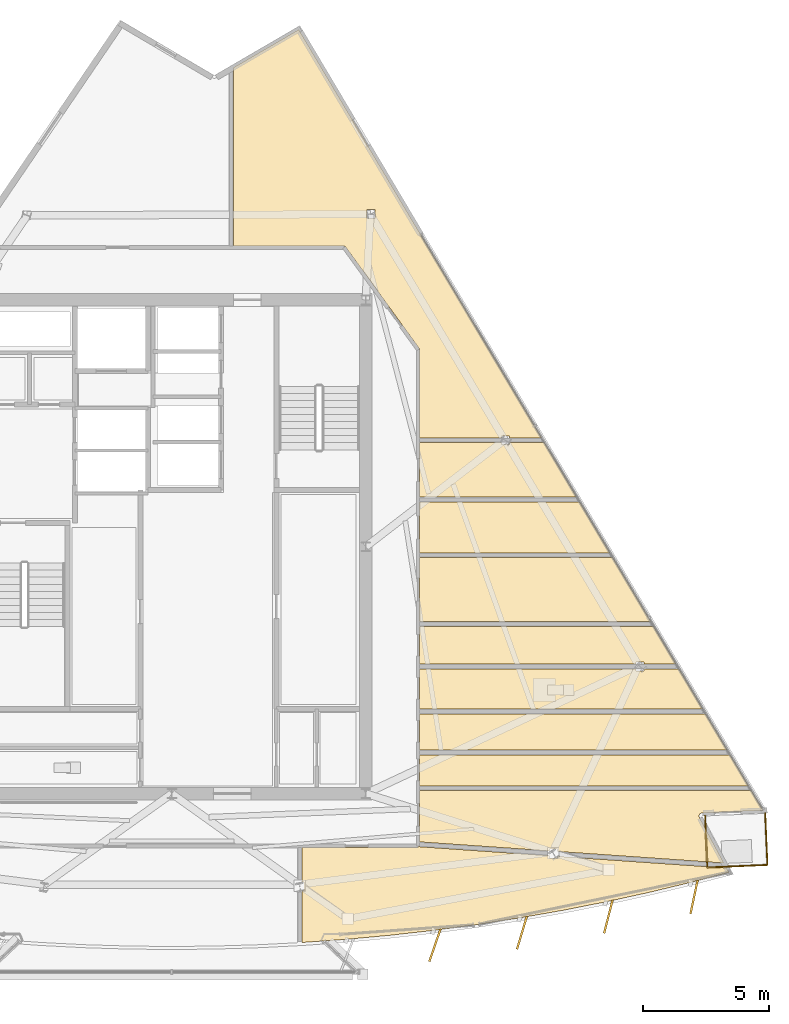
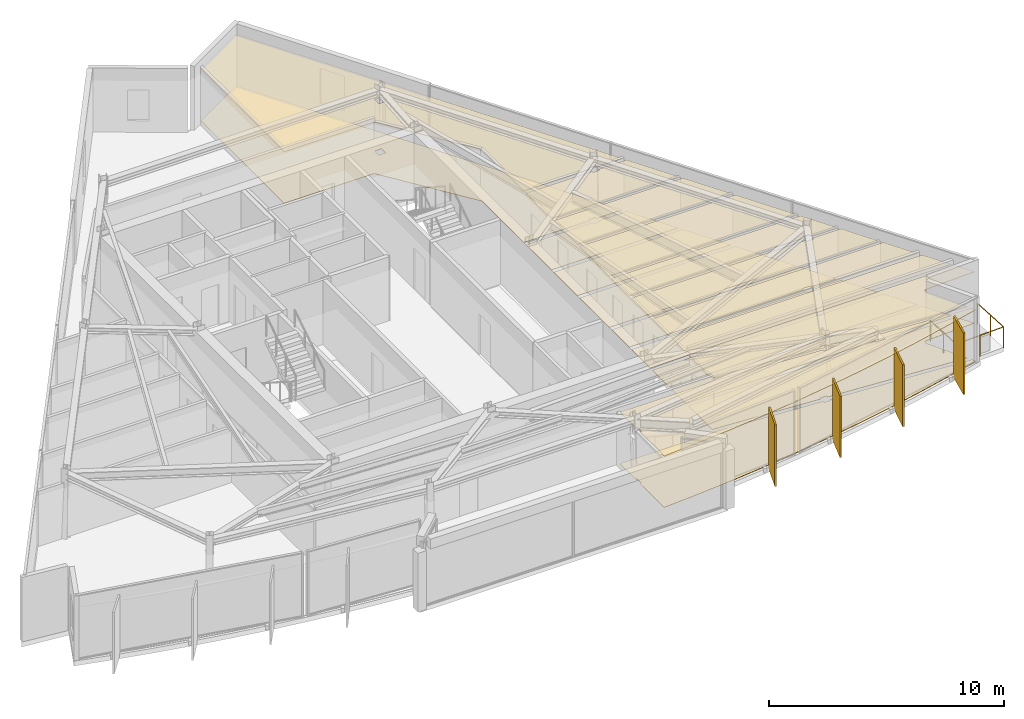
# One storey, part 12 of 13: 20 coverings, 4 shading devices, 3 railings.
"""IFC4 building model written with IfcOpenShell, lengths in metres."""

from ifc_helpers import new_model, si_unit, direction, frame, origin, origin_2d, place, context, subcontext, project, spatial, polyline, rectangle, circle, outline, extrude, material, layer, layer_set, type_object, element, save


model = new_model("IFC4")

# Units and contexts
model_context = context("Model", 3, precision=1e-05, world=origin(), true_north=direction((0.0, 1.0)))
body_context = subcontext(model_context, "Body", "Model", "MODEL_VIEW")
ifc_project = project(units=[si_unit("LENGTHUNIT", "METRE"), si_unit("AREAUNIT", "SQUARE_METRE"), si_unit("VOLUMEUNIT", "CUBIC_METRE"), si_unit("PLANEANGLEUNIT", "RADIAN"), si_unit("MASSUNIT", "GRAM", prefix="KILO")], contexts=[model_context])

# Site, building, storey
site_placement = place(None, origin())
site = spatial("IfcSite", under=ifc_project, at=site_placement, CompositionType="ELEMENT")
building_placement = place(site_placement, origin())
building = spatial("IfcBuilding", under=site, at=building_placement, Name="Savorim Split Tower", CompositionType="ELEMENT")
storey_placement = place(building_placement, frame((0.0, 0.0, 286.800048828125)))
storey = spatial("IfcBuildingStorey", under=building, at=storey_placement, Name="L76", CompositionType="ELEMENT", Elevation=286.800048828125)

# Coverings
ifc_material_1 = material(Name="Mineral Fibre Acoustic Ceiling")
ifc_layer_1 = layer(ifc_material_1, 0.02490234375)
ifc_layer_set_1 = layer_set([ifc_layer_1], Name="COV-CEIL-25")
covering_type_1 = type_object("IfcCoveringType", Name="COV-CEIL-25", PredefinedType="CEILING", material=ifc_layer_set_1)
covering_1_placement = place(storey_placement, frame((0.0, 0.0, 2.669921875)))
element("IfcCovering", 1, at=covering_1_placement, inside=storey, type_object=covering_type_1, Name="L76 Maker Workshop Acoustic Ceiling", PredefinedType="CEILING", context=body_context, shape_type="SweptSolid", body=[
    extrude(outline(polyline([(17.2080078125, -13.7021484375), (18.90087890625, -13.332763671875), (20.5859375, -12.9287109375), (22.1162109375, -12.528564453125), (22.00146484375, -12.314697265625), (21.998779296875, -12.352294921875), (15.312744140625, -11.888671875), (15.312744140625, -11.95703125), (14.983642578125, -11.95703125), (14.983642578125, -11.86572265625), (9.83251953125, -11.508544921875), (9.791748046875, -11.505615234375), (9.788818359375, -11.50830078125), (9.77783203125, -11.516357421875), (9.76611328125, -11.5234375), (9.753662109375, -11.529296875), (9.740478515625, -11.533935546875), (9.727294921875, -11.537353515625), (9.713623046875, -11.539306640625), (9.699951171875, -11.5400390625), (5.172119140625, -11.5400390625), (5.172119140625, -12.900146484375), (5.241455078125, -12.900146484375), (5.241455078125, -13.25), (5.172119140625, -13.25), (5.172119140625, -15.265380859375), (5.172119140625, -15.310791015625), (5.1953125, -15.3095703125), (6.923583984375, -15.185546875), (8.649169921875, -15.026123046875), (10.37109375, -14.83154296875), (12.088623046875, -14.601806640625), (13.801025390625, -14.3369140625), (15.5078125, -14.036865234375), (17.2080078125, -13.7021484375)])), origin(), (0.0, 0.0, 1.0), 0.025146484375),
])
covering_2_placement = place(storey_placement, frame((0.0, 0.0, 2.669921875)))
element("IfcCovering", 2, at=covering_2_placement, inside=storey, type_object=covering_type_1, Name="L76 Maker Workshop Acoustic Ceiling", PredefinedType="CEILING", context=body_context, shape_type="SweptSolid", body=[
    extrude(outline(polyline([(21.022705078125, -10.172119140625), (21.033935546875, -10.169921875), (21.04541015625, -10.168701171875), (23.469970703125, -10.065673828125), (23.004638671875, -9.283203125), (9.840087890625, -9.283203125), (9.840087890625, -11.318603515625), (14.983642578125, -11.67529296875), (14.983642578125, -11.60693359375), (15.312744140625, -11.60693359375), (15.312744140625, -11.6982421875), (21.91650390625, -12.15625), (20.94482421875, -10.345458984375), (20.93994140625, -10.3349609375), (20.93603515625, -10.32421875), (20.93310546875, -10.31298828125), (20.931396484375, -10.301513671875), (20.9306640625, -10.2900390625), (20.930908203125, -10.278564453125), (20.9326171875, -10.26708984375), (20.935302734375, -10.255859375), (20.93896484375, -10.244873046875), (20.943603515625, -10.234375), (20.94921875, -10.224365234375), (20.9560546875, -10.21484375), (20.96337890625, -10.206298828125), (20.9716796875, -10.1982421875), (20.98095703125, -10.19091796875), (20.990478515625, -10.184814453125), (21.0009765625, -10.179443359375), (21.01171875, -10.17529296875), (21.022705078125, -10.172119140625)])), origin(), (0.0, 0.0, 1.0), 0.025146484375),
])
covering_3_placement = place(storey_placement, frame((0.0, 0.0, 2.669921875)))
element("IfcCovering", 3, at=covering_3_placement, inside=storey, type_object=covering_type_1, Name="L76 Quiet Study Room Acoustic Ceiling", PredefinedType="CEILING", context=body_context, shape_type="SweptSolid", body=[
    extrude(outline(polyline([(22.8916015625, -9.09326171875), (22.162841796875, -7.86767578125), (9.840087890625, -7.86767578125), (9.840087890625, -9.09326171875), (22.8916015625, -9.09326171875)])), origin(), (0.0, 0.0, 1.0), 0.025146484375),
])
covering_4_placement = place(storey_placement, frame((0.0, 0.0, 2.669921875)))
element("IfcCovering", 4, at=covering_4_placement, inside=storey, type_object=covering_type_1, Name="L76 Maker Workshop Acoustic Ceiling", PredefinedType="CEILING", context=body_context, shape_type="SweptSolid", body=[
    extrude(outline(polyline([(22.0498046875, -7.677490234375), (21.190673828125, -6.232666015625), (9.840087890625, -6.232666015625), (9.840087890625, -7.677490234375), (22.0498046875, -7.677490234375)])), origin(), (0.0, 0.0, 1.0), 0.025146484375),
])
covering_5_placement = place(storey_placement, frame((0.0, 0.0, 2.669921875)))
element("IfcCovering", 5, at=covering_5_placement, inside=storey, type_object=covering_type_1, Name="L76 Shared Bathroom Acoustic Ceiling", PredefinedType="CEILING", context=body_context, shape_type="SweptSolid", body=[
    extrude(outline(polyline([(18.421630859375, -4.531494140625), (18.421630859375, -4.451416015625), (9.840087890625, -4.451416015625), (9.840087890625, -6.04248046875), (21.07763671875, -6.04248046875), (20.11181640625, -4.41845703125), (20.11181640625, -4.451416015625), (18.750732421875, -4.451416015625), (18.750732421875, -4.531494140625), (18.421630859375, -4.531494140625)])), origin(), (0.0, 0.0, 1.0), 0.025146484375),
])
covering_6_placement = place(storey_placement, frame((0.0, 0.0, 2.669921875)))
element("IfcCovering", 6, at=covering_6_placement, inside=storey, type_object=covering_type_1, Name="L76 Quiet Study Room Acoustic Ceiling", PredefinedType="CEILING", context=body_context, shape_type="SweptSolid", body=[
    extrude(outline(polyline([(18.750732421875, -4.181396484375), (18.750732421875, -4.261474609375), (20.016845703125, -4.261474609375), (20.0185546875, -4.261474609375), (19.123779296875, -2.7568359375), (9.840087890625, -2.7568359375), (9.840087890625, -4.261474609375), (18.421630859375, -4.261474609375), (18.421630859375, -4.181396484375), (18.750732421875, -4.181396484375)])), origin(), (0.0, 0.0, 1.0), 0.025146484375),
])
covering_7_placement = place(storey_placement, frame((0.0, 0.0, 2.669921875)))
element("IfcCovering", 7, at=covering_7_placement, inside=storey, type_object=covering_type_1, Name="L76 Maker Workshop Acoustic Ceiling", PredefinedType="CEILING", context=body_context, shape_type="SweptSolid", body=[
    extrude(outline(polyline([(19.010986328125, -2.56689453125), (17.5048828125, -0.0341796875), (9.840087890625, -0.0341796875), (9.840087890625, -2.56689453125), (19.010986328125, -2.56689453125)])), origin(), (0.0, 0.0, 1.0), 0.025146484375),
])
covering_8_placement = place(storey_placement, frame((0.0, 0.0, 2.669921875)))
element("IfcCovering", 8, at=covering_8_placement, inside=storey, type_object=covering_type_1, Name="L76 Maker Workshop Acoustic Ceiling", PredefinedType="CEILING", context=body_context, shape_type="SweptSolid", body=[
    extrude(outline(polyline([(17.39208984375, 0.15576171875), (16.191650390625, 2.17431640625), (9.840087890625, 2.17431640625), (9.840087890625, 0.15576171875), (17.39208984375, 0.15576171875)])), origin(), (0.0, 0.0, 1.0), 0.025146484375),
])
covering_9_placement = place(storey_placement, frame((0.0, 0.0, 2.669921875)))
element("IfcCovering", 9, at=covering_9_placement, inside=storey, type_object=covering_type_1, Name="L76 Co-Working Commons Acoustic Ceiling", PredefinedType="CEILING", context=body_context, shape_type="SweptSolid", body=[
    extrude(outline(polyline([(13.081787109375, 4.44921875), (13.081787109375, 4.529296875), (9.840087890625, 4.529296875), (9.840087890625, 2.364501953125), (16.07861328125, 2.364501953125), (14.771728515625, 4.562255859375), (14.771728515625, 4.529296875), (13.41064453125, 4.529296875), (13.41064453125, 4.44921875), (13.081787109375, 4.44921875)])), origin(), (0.0, 0.0, 1.0), 0.025146484375),
])
covering_10_placement = place(storey_placement, frame((0.0, 0.0, 2.669921875)))
element("IfcCovering", 10, at=covering_10_placement, inside=storey, type_object=covering_type_1, Name="L76 Maker Workshop Acoustic Ceiling", PredefinedType="CEILING", context=body_context, shape_type="SweptSolid", body=[
    extrude(outline(polyline([(14.6767578125, 4.71923828125), (14.678466796875, 4.71923828125), (5.039794921875, 20.92919921875), (2.451171875, 19.420654296875), (2.451171875, 12.340087890625), (6.800048828125, 12.340087890625), (6.813232421875, 12.33935546875), (6.826416015625, 12.33740234375), (6.839111328125, 12.33447265625), (6.8515625, 12.330078125), (6.863525390625, 12.32470703125), (6.875, 12.318115234375), (6.885986328125, 12.310546875), (6.89599609375, 12.302001953125), (6.905029296875, 12.29248046875), (6.913330078125, 12.2822265625), (9.813232421875, 8.2822265625), (9.8212890625, 8.27001953125), (9.827880859375, 8.2568359375), (9.833251953125, 8.2431640625), (9.8369140625, 8.22900390625), (9.839111328125, 8.214599609375), (9.840087890625, 8.199951171875), (9.840087890625, 4.71923828125), (13.081787109375, 4.71923828125), (13.081787109375, 4.79931640625), (13.41064453125, 4.79931640625), (13.41064453125, 4.71923828125), (14.6767578125, 4.71923828125)]), holes=[polyline([(8.070556640625, 13.77978515625), (7.74169921875, 13.77978515625), (7.74169921875, 13.4296875), (8.070556640625, 13.4296875), (8.070556640625, 13.77978515625)])]), origin(), (0.0, 0.0, 1.0), 0.025146484375),
])
ifc_material_2 = material(Name="Porcelain Stoneware Flooring", Category="masonry")
ifc_layer_2 = layer(ifc_material_2, 0.02001953125)
ifc_layer_set_2 = layer_set([ifc_layer_2], Name="COV-FLOR-20")
covering_type_2 = type_object("IfcCoveringType", Name="COV-FLOR-20", PredefinedType="FLOORING", material=ifc_layer_set_2)
covering_11_placement = place(storey_placement, origin())
element("IfcCovering", 11, at=covering_11_placement, inside=storey, type_object=covering_type_2, Name="L76 Maker Workshop Porcelain Flooring", PredefinedType="FLOORING", context=body_context, shape_type="SweptSolid", body=[
    extrude(outline(polyline([(17.2080078125, -13.7021484375), (18.90087890625, -13.332763671875), (20.5859375, -12.9287109375), (22.1162109375, -12.528564453125), (22.00146484375, -12.314697265625), (21.998779296875, -12.352294921875), (15.312744140625, -11.888671875), (15.312744140625, -11.95703125), (14.983642578125, -11.95703125), (14.983642578125, -11.86572265625), (9.83251953125, -11.508544921875), (9.791748046875, -11.505615234375), (9.788818359375, -11.50830078125), (9.77783203125, -11.516357421875), (9.76611328125, -11.5234375), (9.753662109375, -11.529296875), (9.740478515625, -11.533935546875), (9.727294921875, -11.537353515625), (9.713623046875, -11.539306640625), (9.699951171875, -11.5400390625), (5.172119140625, -11.5400390625), (5.172119140625, -12.900146484375), (5.241455078125, -12.900146484375), (5.241455078125, -13.25), (5.172119140625, -13.25), (5.172119140625, -15.265380859375), (5.172119140625, -15.310791015625), (5.1953125, -15.3095703125), (6.923583984375, -15.185546875), (8.649169921875, -15.026123046875), (10.37109375, -14.83154296875), (12.088623046875, -14.601806640625), (13.801025390625, -14.3369140625), (15.5078125, -14.036865234375), (17.2080078125, -13.7021484375)])), origin(), (0.0, 0.0, 1.0), 0.02001953125),
])
covering_12_placement = place(storey_placement, origin())
element("IfcCovering", 12, at=covering_12_placement, inside=storey, type_object=covering_type_2, Name="L76 Maker Workshop Porcelain Flooring", PredefinedType="FLOORING", context=body_context, shape_type="SweptSolid", body=[
    extrude(outline(polyline([(21.022705078125, -10.172119140625), (21.033935546875, -10.169921875), (21.04541015625, -10.168701171875), (23.469970703125, -10.065673828125), (23.004638671875, -9.283203125), (9.840087890625, -9.283203125), (9.840087890625, -11.318603515625), (14.983642578125, -11.67529296875), (14.983642578125, -11.60693359375), (15.312744140625, -11.60693359375), (15.312744140625, -11.6982421875), (21.91650390625, -12.15625), (20.94482421875, -10.345458984375), (20.93994140625, -10.3349609375), (20.93603515625, -10.32421875), (20.93310546875, -10.31298828125), (20.931396484375, -10.301513671875), (20.9306640625, -10.2900390625), (20.930908203125, -10.278564453125), (20.9326171875, -10.26708984375), (20.935302734375, -10.255859375), (20.93896484375, -10.244873046875), (20.943603515625, -10.234375), (20.94921875, -10.224365234375), (20.9560546875, -10.21484375), (20.96337890625, -10.206298828125), (20.9716796875, -10.1982421875), (20.98095703125, -10.19091796875), (20.990478515625, -10.184814453125), (21.0009765625, -10.179443359375), (21.01171875, -10.17529296875), (21.022705078125, -10.172119140625)])), origin(), (0.0, 0.0, 1.0), 0.02001953125),
])
covering_13_placement = place(storey_placement, origin())
element("IfcCovering", 13, at=covering_13_placement, inside=storey, type_object=covering_type_2, Name="L76 Quiet Study Room Porcelain Flooring", PredefinedType="FLOORING", context=body_context, shape_type="SweptSolid", body=[
    extrude(outline(polyline([(22.8916015625, -9.09326171875), (22.162841796875, -7.86767578125), (9.840087890625, -7.86767578125), (9.840087890625, -9.09326171875), (22.8916015625, -9.09326171875)])), origin(), (0.0, 0.0, 1.0), 0.02001953125),
])
covering_14_placement = place(storey_placement, origin())
element("IfcCovering", 14, at=covering_14_placement, inside=storey, type_object=covering_type_2, Name="L76 Maker Workshop Porcelain Flooring", PredefinedType="FLOORING", context=body_context, shape_type="SweptSolid", body=[
    extrude(outline(polyline([(22.0498046875, -7.677490234375), (21.190673828125, -6.232666015625), (9.840087890625, -6.232666015625), (9.840087890625, -7.677490234375), (22.0498046875, -7.677490234375)])), origin(), (0.0, 0.0, 1.0), 0.02001953125),
])
covering_15_placement = place(storey_placement, origin())
element("IfcCovering", 15, at=covering_15_placement, inside=storey, type_object=covering_type_2, Name="L76 Shared Bathroom Porcelain Flooring", PredefinedType="FLOORING", context=body_context, shape_type="SweptSolid", body=[
    extrude(outline(polyline([(18.421630859375, -4.531494140625), (18.421630859375, -4.451416015625), (9.840087890625, -4.451416015625), (9.840087890625, -6.04248046875), (21.07763671875, -6.04248046875), (20.11181640625, -4.41845703125), (20.11181640625, -4.451416015625), (18.750732421875, -4.451416015625), (18.750732421875, -4.531494140625), (18.421630859375, -4.531494140625)])), origin(), (0.0, 0.0, 1.0), 0.02001953125),
])
covering_16_placement = place(storey_placement, origin())
element("IfcCovering", 16, at=covering_16_placement, inside=storey, type_object=covering_type_2, Name="L76 Quiet Study Room Porcelain Flooring", PredefinedType="FLOORING", context=body_context, shape_type="SweptSolid", body=[
    extrude(outline(polyline([(18.750732421875, -4.181396484375), (18.750732421875, -4.261474609375), (20.016845703125, -4.261474609375), (20.0185546875, -4.261474609375), (19.123779296875, -2.7568359375), (9.840087890625, -2.7568359375), (9.840087890625, -4.261474609375), (18.421630859375, -4.261474609375), (18.421630859375, -4.181396484375), (18.750732421875, -4.181396484375)])), origin(), (0.0, 0.0, 1.0), 0.02001953125),
])
covering_17_placement = place(storey_placement, origin())
element("IfcCovering", 17, at=covering_17_placement, inside=storey, type_object=covering_type_2, Name="L76 Maker Workshop Porcelain Flooring", PredefinedType="FLOORING", context=body_context, shape_type="SweptSolid", body=[
    extrude(outline(polyline([(19.010986328125, -2.56689453125), (17.5048828125, -0.0341796875), (9.840087890625, -0.0341796875), (9.840087890625, -2.56689453125), (19.010986328125, -2.56689453125)])), origin(), (0.0, 0.0, 1.0), 0.02001953125),
])
covering_18_placement = place(storey_placement, origin())
element("IfcCovering", 18, at=covering_18_placement, inside=storey, type_object=covering_type_2, Name="L76 Maker Workshop Porcelain Flooring", PredefinedType="FLOORING", context=body_context, shape_type="SweptSolid", body=[
    extrude(outline(polyline([(17.39208984375, 0.15576171875), (16.191650390625, 2.17431640625), (9.840087890625, 2.17431640625), (9.840087890625, 0.15576171875), (17.39208984375, 0.15576171875)])), origin(), (0.0, 0.0, 1.0), 0.02001953125),
])
covering_19_placement = place(storey_placement, origin())
element("IfcCovering", 19, at=covering_19_placement, inside=storey, type_object=covering_type_2, Name="L76 Co-Working Commons Porcelain Flooring", PredefinedType="FLOORING", context=body_context, shape_type="SweptSolid", body=[
    extrude(outline(polyline([(13.081787109375, 4.44921875), (13.081787109375, 4.529296875), (9.840087890625, 4.529296875), (9.840087890625, 2.364501953125), (16.07861328125, 2.364501953125), (14.771728515625, 4.562255859375), (14.771728515625, 4.529296875), (13.41064453125, 4.529296875), (13.41064453125, 4.44921875), (13.081787109375, 4.44921875)])), origin(), (0.0, 0.0, 1.0), 0.02001953125),
])
covering_20_placement = place(storey_placement, origin())
element("IfcCovering", 20, at=covering_20_placement, inside=storey, type_object=covering_type_2, Name="L76 Maker Workshop Porcelain Flooring", PredefinedType="FLOORING", context=body_context, shape_type="SweptSolid", body=[
    extrude(outline(polyline([(14.6767578125, 4.71923828125), (14.678466796875, 4.71923828125), (5.039794921875, 20.92919921875), (2.451171875, 19.420654296875), (2.451171875, 12.340087890625), (6.800048828125, 12.340087890625), (6.813232421875, 12.33935546875), (6.826416015625, 12.33740234375), (6.839111328125, 12.33447265625), (6.8515625, 12.330078125), (6.863525390625, 12.32470703125), (6.875, 12.318115234375), (6.885986328125, 12.310546875), (6.89599609375, 12.302001953125), (6.905029296875, 12.29248046875), (6.913330078125, 12.2822265625), (9.813232421875, 8.2822265625), (9.8212890625, 8.27001953125), (9.827880859375, 8.2568359375), (9.833251953125, 8.2431640625), (9.8369140625, 8.22900390625), (9.839111328125, 8.214599609375), (9.840087890625, 8.199951171875), (9.840087890625, 4.71923828125), (13.081787109375, 4.71923828125), (13.081787109375, 4.79931640625), (13.41064453125, 4.79931640625), (13.41064453125, 4.71923828125), (14.6767578125, 4.71923828125)]), holes=[polyline([(8.070556640625, 13.77978515625), (7.74169921875, 13.77978515625), (7.74169921875, 13.4296875), (8.070556640625, 13.4296875), (8.070556640625, 13.77978515625)])]), origin(), (0.0, 0.0, 1.0), 0.02001953125),
])

# Railings
ifc_material_3 = material(Name="Galvanised Painted Steel Balustrade", Category="steel")
railing_type = type_object("IfcRailingType", Name="RLG-BAL-1100", PredefinedType="BALUSTRADE", material=ifc_material_3)
railing_1_placement = place(storey_placement, frame((23.555908203125, -10.18212890625, 0.0)))
element("IfcRailing", 21, at=railing_1_placement, inside=storey, type_object=railing_type, Name="L76 Tree Balcony Guardrail SE-1", PredefinedType="BALUSTRADE", context=body_context, shape_type="SweptSolid", body=[
    extrude(circle(Radius=0.02392578125, at=origin_2d()), frame((0.0, 0.0, 1.076171875), z_axis=(0.042517246, -0.999095733047, 0.0), x_axis=(0.999095733047, 0.042517246, 0.0)), (0.0, 0.0, 1.0), 2.050048828125),
    extrude(circle(Radius=0.02099609375, at=origin_2d()), origin(), (0.0, 0.0, 1.0), 1.052001953125),
    extrude(circle(Radius=0.02099609375, at=origin_2d()), frame((0.04345703125, -1.02392578125, 0.0)), (0.0, 0.0, 1.0), 1.052001953125),
    extrude(circle(Radius=0.02099609375, at=origin_2d()), frame((0.087158203125, -2.048095703125, 0.0)), (0.0, 0.0, 1.0), 1.052001953125),
])
railing_2_placement = place(storey_placement, frame((23.64306640625, -12.230224609375, 0.0)))
element("IfcRailing", 22, at=railing_2_placement, inside=storey, type_object=railing_type, Name="L76 Tree Balcony Guardrail SE-2", PredefinedType="BALUSTRADE", context=body_context, shape_type="SweptSolid", body=[
    extrude(circle(Radius=0.02392578125, at=origin_2d()), frame((0.0, 0.0, 1.076171875), z_axis=(-0.999094731317, -0.042540778734, 0.0), x_axis=(0.042540778734, -0.999094731317, 0.0)), (0.0, 0.0, 1.0), 2.387451171875),
    extrude(circle(Radius=0.02099609375, at=origin_2d()), origin(), (0.0, 0.0, 1.0), 1.052001953125),
    extrude(circle(Radius=0.02099609375, at=origin_2d()), frame((-1.192626953125, -0.05078125, 0.0)), (0.0, 0.0, 1.0), 1.052001953125),
    extrude(circle(Radius=0.02099609375, at=origin_2d()), frame((-2.38525390625, -0.1015625, 0.0)), (0.0, 0.0, 1.0), 1.052001953125),
])
railing_3_placement = place(storey_placement, frame((21.2578125, -12.331787109375, 0.0)))
element("IfcRailing", 23, at=railing_3_placement, inside=storey, type_object=railing_type, Name="L76 Tree Balcony Guardrail SE-3", PredefinedType="BALUSTRADE", context=body_context, shape_type="SweptSolid", body=[
    extrude(circle(Radius=0.02392578125, at=origin_2d()), frame((0.0, 0.0, 1.076171875), z_axis=(-0.042636125732, 0.999090666948, 0.0), x_axis=(-0.999090666948, -0.042636125732, 0.0)), (0.0, 0.0, 1.0), 2.050048828125),
    extrude(circle(Radius=0.02099609375, at=origin_2d()), origin(), (0.0, 0.0, 1.0), 1.052001953125),
    extrude(circle(Radius=0.02099609375, at=origin_2d()), frame((-0.043701171875, 1.02392578125, 0.0)), (0.0, 0.0, 1.0), 1.052001953125),
    extrude(circle(Radius=0.02099609375, at=origin_2d()), frame((-0.08740234375, 2.048095703125, 0.0)), (0.0, 0.0, 1.0), 1.052001953125),
])

# Shading devices
ifc_material_4 = material(Name="Terracotta Ceramic-Coated Aluminium Fin", Category="masonry")
shading_device_type = type_object("IfcShadingDeviceType", Name="SHD-FIN-1360", PredefinedType="USERDEFINED", material=ifc_material_4)
for number, where, z_axis, x_axis, name in (
    (24, (10.444091796875, -15.423095703125, -0.2001953125), (0.0, 0.0, 1.0), (-0.324993810493, -0.945716143005, 0.0), "L76 Sawtooth Shading Fin 10"),
    (25, (13.898193359375, -14.9248046875, -0.2001953125), (0.0, 0.0, 1.0), (-0.286026212504, -0.958221793616, 0.0), "L76 Sawtooth Shading Fin 11"),
    (26, (17.3291015625, -14.28564453125, -0.2001953125), (0.0, 0.0, 1.0), (-0.246581250663, -0.969122121727, 0.0), "L76 Sawtooth Shading Fin 12"),
    (27, (20.73095703125, -13.5068359375, -0.2001953125), (0.0, 0.0, 1.0), (-0.206721626106, -0.978399800337, 0.0), "L76 Sawtooth Shading Fin 13"),
):
    element("IfcShadingDevice", number, at=place(storey_placement, frame(where, z_axis=z_axis, x_axis=x_axis)), inside=storey, type_object=shading_device_type, Name=name, ObjectType="FIN", PredefinedType="USERDEFINED", context=body_context, shape_type="SweptSolid", body=[
        extrude(rectangle(XDim=1.360107421875, YDim=0.080078125, at=origin_2d()), origin(), (0.0, 0.0, 1.0), 3.199951171875),
    ])

save(model, "model.ifc")
